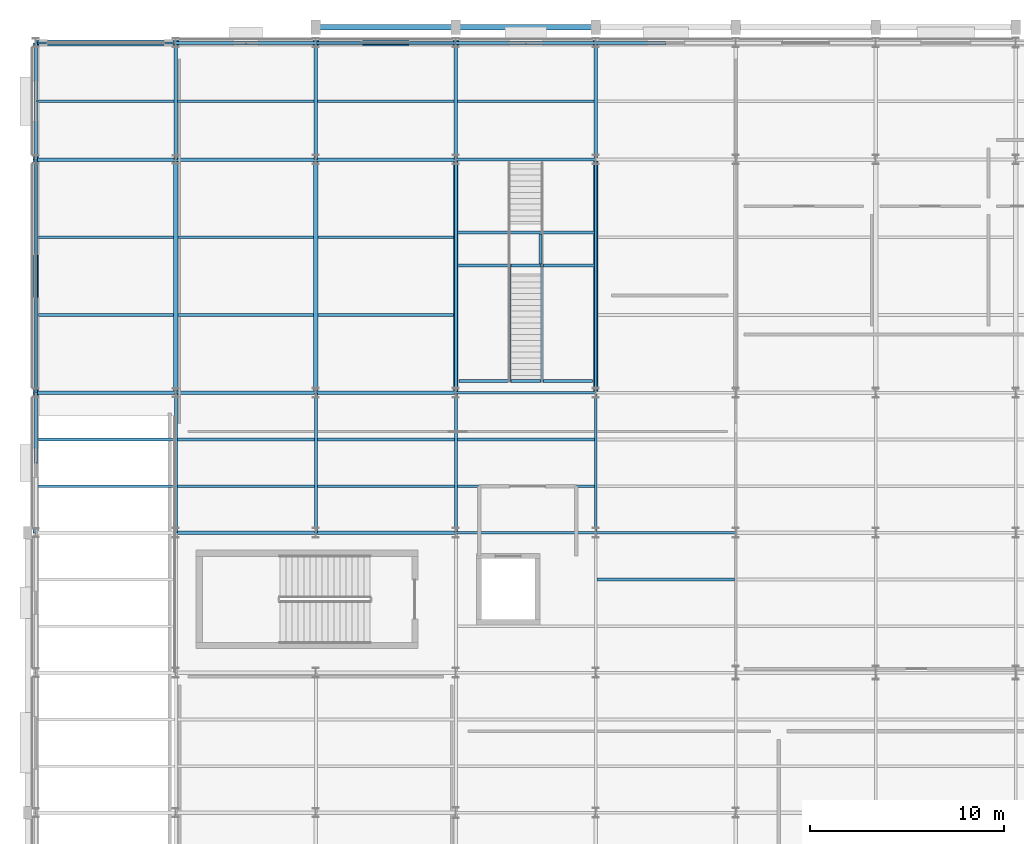
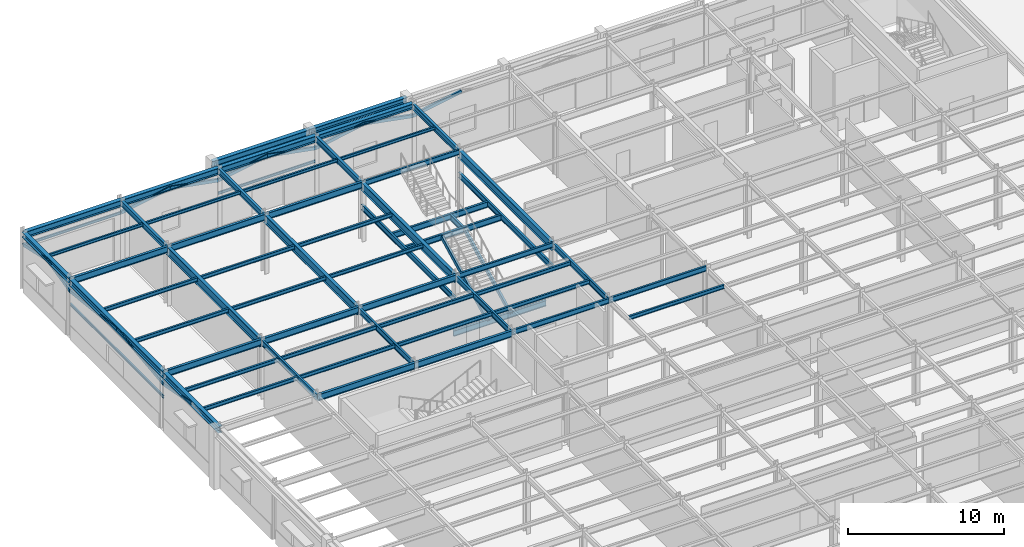
# One storey, part 37 of 83: 61 beams, 14 members.
"""IFC4 building model written with IfcOpenShell, lengths in metres."""

import ifcopenshell
import ifcopenshell.guid

model = None  # the IFC model being written
_history = None  # IfcOwnerHistory: only IFC2X3 demands one
_inside = {}  # id of a spatial element -> (the spatial element, [elements in it])
_under = {}  # id of a project, library or spatial element -> (it, [spatial elements below it])
_declared = {}  # id of a project -> (the project, [libraries it declares])
_typed = {}  # id of a type object -> (the type object, [elements of that type])
_made_of = {}  # id of a material, layer set ... -> (it, [elements and type objects made of it])


def new_model(schema):
    """Start an empty IFC model of exactly this schema.

    Asked for "IFC4X3", IfcOpenShell would pick the latest addendum, in which some entities
    have other attributes; the version numbers below select the first issue.
    IFC2X3 requires an IfcOwnerHistory on every rooted entity: one is made here for all.
    """
    global model, _history
    if schema == "IFC4X3":
        model = ifcopenshell.file(schema_version=(4, 3, 0, 0))
    else:
        model = ifcopenshell.file(schema=schema)
    _inside.clear()
    _under.clear()
    _declared.clear()
    _typed.clear()
    _made_of.clear()
    _history = None
    if model.schema == "IFC2X3":
        org = make("IfcOrganization", Name="unknown")
        user = make(
            "IfcPersonAndOrganization",
            ThePerson=make("IfcPerson", FamilyName="unknown"),
            TheOrganization=org,
        )
        app = make(
            "IfcApplication",
            ApplicationDeveloper=org,
            Version="unknown",
            ApplicationFullName="unknown",
            ApplicationIdentifier="unknown",
        )
        _history = make(
            "IfcOwnerHistory",
            OwningUser=user,
            OwningApplication=app,
            ChangeAction="ADDED",
            CreationDate=0,
        )
    return model


def make(cls, **values):
    """One entity of the class cls with the attributes given. An attribute that is None is left unset."""
    return model.create_entity(
        cls, **{name: value for name, value in values.items() if value is not None}
    )


def rooted(cls, **values):
    """An entity with a GlobalId (a new one), such as an element, a storey or a relation."""
    return make(cls, GlobalId=ifcopenshell.guid.new(), OwnerHistory=_history, **values)


def si_unit(unit_type, name, prefix=None):
    """IfcSIUnit, for example si_unit("LENGTHUNIT", "METRE", prefix="MILLI")."""
    return make("IfcSIUnit", UnitType=unit_type, Prefix=prefix, Name=name)


def assignment(units):
    """IfcUnitAssignment: the units of a project."""
    return None if units is None else make("IfcUnitAssignment", Units=units)


def point(xyz):
    """IfcCartesianPoint."""
    return None if xyz is None else make("IfcCartesianPoint", Coordinates=xyz)


def direction(xyz):
    """IfcDirection."""
    return None if xyz is None else make("IfcDirection", DirectionRatios=xyz)


def frame(location, z_axis=None, x_axis=None):
    """IfcAxis2Placement3D, a coordinate frame: its origin and axes. An axis left out is left unset."""
    return make(
        "IfcAxis2Placement3D",
        Location=point(location),
        Axis=direction(z_axis),
        RefDirection=direction(x_axis),
    )


def frame_2d(location, x_axis=None):
    """IfcAxis2Placement2D, a coordinate frame in the plane: its origin and x axis."""
    return make(
        "IfcAxis2Placement2D", Location=point(location), RefDirection=direction(x_axis)
    )


def origin():
    """The frame at (0, 0, 0) with its axes left unset."""
    return frame((0.0, 0.0, 0.0))


def origin_2d():
    """The frame at (0, 0) in the plane with its x axis left unset."""
    return frame_2d((0.0, 0.0))


def place(relative_to, where):
    """IfcLocalPlacement: puts the frame where relative to a parent placement (None: the world)."""
    return make(
        "IfcLocalPlacement", PlacementRelTo=relative_to, RelativePlacement=where
    )


def context(
    kind, dimensions, precision=None, world=None, true_north=None, identifier=None
):
    """IfcGeometricRepresentationContext, for example the 3D "Model" context."""
    return make(
        "IfcGeometricRepresentationContext",
        ContextIdentifier=identifier,
        ContextType=kind,
        CoordinateSpaceDimension=dimensions,
        Precision=precision,
        WorldCoordinateSystem=world,
        TrueNorth=true_north,
    )


def subcontext(parent, identifier, kind, view, scale=None):
    """IfcGeometricRepresentationSubContext, for example "Body" below "Model"."""
    return make(
        "IfcGeometricRepresentationSubContext",
        ContextIdentifier=identifier,
        ContextType=kind,
        ParentContext=parent,
        TargetScale=scale,
        TargetView=view,
    )


def project(units=None, contexts=None):
    """IfcProject with its units and contexts."""
    return rooted(
        "IfcProject",
        Name="project",
        RepresentationContexts=contexts,
        UnitsInContext=assignment(units),
    )


def spatial(cls, under=None, at=None, **own):
    """A site, building, storey or space (cls), placed at a placement, below another one or the project."""
    s = rooted(cls, ObjectPlacement=at, **own)
    if under is not None:
        _under.setdefault(under.id(), (under, []))[1].append(s)
    return s


def profile(cls, at=None, kind="AREA", **sizes):
    """A parametric profile (cls). Its sizes go by their IFC names, for example OverallWidth=200.0."""
    return make(cls, ProfileType=kind, Position=at, **sizes)


def hollow_rectangle(**sizes):
    """IfcRectangleHollowProfileDef."""
    return profile("IfcRectangleHollowProfileDef", **sizes)


def i_section(**sizes):
    """IfcIShapeProfileDef."""
    return profile("IfcIShapeProfileDef", **sizes)


def extrude(swept, where, along, depth):
    """IfcExtrudedAreaSolid: the profile swept, set in the frame where, extruded along a direction by depth."""
    return make(
        "IfcExtrudedAreaSolid",
        SweptArea=swept,
        Position=where,
        ExtrudedDirection=direction(along),
        Depth=depth,
    )


def shape(context_of_items, identifier, shape_type, items):
    """IfcShapeRepresentation: the items that make up one representation, for example the "Body"."""
    return make(
        "IfcShapeRepresentation",
        ContextOfItems=context_of_items,
        RepresentationIdentifier=identifier,
        RepresentationType=shape_type,
        Items=items,
    )


def material(Name=None, Category=None):
    """IfcMaterial."""
    return make("IfcMaterial", Name=Name, Category=Category)


def material_profile(
    of_material, cross_section, Name=None, Category=None, Priority=None
):
    """IfcMaterialProfile: a cross section and its material."""
    return make(
        "IfcMaterialProfile",
        Name=Name,
        Material=of_material,
        Profile=cross_section,
        Priority=Priority,
        Category=Category,
    )


def profile_set(profiles, Name=None, composite=None):
    """IfcMaterialProfileSet."""
    return make(
        "IfcMaterialProfileSet",
        Name=Name,
        MaterialProfiles=profiles,
        CompositeProfile=composite,
    )


def made_of(thing, what):
    """Note that an element or type object is made of a material, layer set ...; save() writes the relation."""
    if what is not None:
        _made_of.setdefault(what.id(), (what, []))[1].append(thing)
    return thing


def type_object(cls, material=None, **own):
    """A type object (cls), such as IfcWallType, which elements share."""
    return made_of(rooted(cls, **own), material)


def element(
    cls,
    number,
    at=None,
    inside=None,
    cuts=None,
    type_object=None,
    material=None,
    context=None,
    identifier="Body",
    shape_type=None,
    held_by="IfcProductDefinitionShape",
    body=None,
    shapes=None,
    **own,
):
    """One element of the class cls, such as IfcWall. Its Tag is "e" and its number.

    at: its placement. inside: the storey or other place that contains it. cuts: it is an
    opening in that element (IfcRelVoidsElement). A single representation is given by context,
    identifier, shape_type and body (its items); several are given by shapes. held_by: the class
    of the entity that holds the representations. save() writes the other relations.
    """
    e = rooted(cls, Tag="e%d" % number, ObjectPlacement=at, **own)
    if body is not None:
        shapes = [shape(context, identifier, shape_type, body)]
    if shapes is not None:
        e.Representation = make(held_by, Representations=shapes)
    if inside is not None:
        _inside.setdefault(inside.id(), (inside, []))[1].append(e)
    if cuts is not None:
        rooted(
            "IfcRelVoidsElement", RelatingBuildingElement=cuts, RelatedOpeningElement=e
        )
    if type_object is not None:
        _typed.setdefault(type_object.id(), (type_object, []))[1].append(e)
    return made_of(e, material)


def aggregate(whole, parts):
    """IfcRelAggregates: a whole, such as a stair, and the parts it consists of."""
    return rooted("IfcRelAggregates", RelatingObject=whole, RelatedObjects=parts)


def save(model, path):
    """Write the relations noted so far, then the file.

    IfcRelAggregates (storeys below a building ...), IfcRelContainedInSpatialStructure (elements
    in a storey), IfcRelDefinesByType, IfcRelAssociatesMaterial and IfcRelDeclares: one each for
    every whole, place, type object, material and project.
    """
    for whole, parts in _under.values():
        aggregate(whole, parts)
    for where, things in _inside.values():
        rooted(
            "IfcRelContainedInSpatialStructure",
            RelatedElements=things,
            RelatingStructure=where,
        )
    for kind, things in _typed.values():
        rooted("IfcRelDefinesByType", RelatedObjects=things, RelatingType=kind)
    for what, things in _made_of.values():
        rooted("IfcRelAssociatesMaterial", RelatedObjects=things, RelatingMaterial=what)
    for by, libraries in _declared.values():
        rooted("IfcRelDeclares", RelatingContext=by, RelatedDefinitions=libraries)
    model.write(path)


model = new_model("IFC4")

# Units and contexts
model_context = context("Model", 3, precision=1e-05, world=origin(), true_north=direction((0.0, 1.0)))
body_context = subcontext(model_context, "Body", "Model", "MODEL_VIEW")
ifc_project = project(units=[si_unit("LENGTHUNIT", "METRE"), si_unit("AREAUNIT", "SQUARE_METRE"), si_unit("VOLUMEUNIT", "CUBIC_METRE"), si_unit("PLANEANGLEUNIT", "RADIAN"), si_unit("MASSUNIT", "GRAM", prefix="KILO")], contexts=[model_context])

# Site, building, storey
site_placement = place(None, origin())
site = spatial("IfcSite", under=ifc_project, at=site_placement, CompositionType="ELEMENT")
building_placement = place(site_placement, origin())
building = spatial("IfcBuilding", under=site, at=building_placement, Name="Solvadek Multi-Sports Hall", CompositionType="ELEMENT")
storey_placement = place(building_placement, origin())
storey = spatial("IfcBuildingStorey", under=building, at=storey_placement, Name="L00", CompositionType="ELEMENT", Elevation=0.0)

# Members
ifc_material_1 = material(Name="Steel E250 (250 MPa)", Category="steel")
ifc_material_profile_1 = material_profile(ifc_material_1, hollow_rectangle(XDim=0.14990234375, YDim=0.300048828125, WallThickness=0.010009765625, at=origin_2d()), Name="RHS 300x150x10")
ifc_profile_set_1 = profile_set([ifc_material_profile_1], Name="Steel E250 (250 MPa)")
member_type_1 = type_object("IfcMemberType", Name="INT-SGR-RHS300", PredefinedType="STRINGER", material=ifc_profile_set_1)
for number, where, z_axis, x_axis, name in (
    (1, (26.0400390625, 93.0, -0.47998046875), (0.0, 0.889594277136, 0.456751597793), (-1.0, 0.0, 0.0), "Stair ST-12 Steel Stringer #11"),
    (2, (24.360107421875, 93.0, -0.47998046875), (0.0, 0.889594277136, 0.456751597793), (-1.0, 0.0, 0.0), "Stair ST-12 Steel Stringer #12"),
):
    element("IfcMember", number, at=place(storey_placement, frame(where, z_axis=z_axis, x_axis=x_axis)), inside=storey, type_object=member_type_1, Name=name, PredefinedType="STRINGER", context=body_context, shape_type="SweptSolid", body=[
        extrude(hollow_rectangle(XDim=0.14990234375, YDim=0.300048828125, WallThickness=0.010009765625, at=origin_2d()), origin(), (0.0, 0.0, 1.0), 6.6884765625),
    ])
ifc_material_2 = material(Name="Steel E350 (350 MPa)", Category="steel")
ifc_material_profile_2 = material_profile(ifc_material_2, hollow_rectangle(XDim=0.14990234375, YDim=0.25, WallThickness=0.010009765625, at=origin_2d()), Name="RHS 250x150x10")
ifc_profile_set_2 = profile_set([ifc_material_profile_2], Name="Steel E350 (350 MPa)")
member_type_2 = type_object("IfcMemberType", Name="STR-ARC-RHS250", PredefinedType="USERDEFINED", material=ifc_profile_set_2)
member_1_placement = place(storey_placement, frame((0.0, 88.800048828125, 4.219970703125), z_axis=(0.0, 0.9831211258, -0.182955874479), x_axis=(-1.0, 0.0, 0.0)))
element("IfcMember", 3, at=member_1_placement, inside=storey, type_object=member_type_2, Name="L00 West Facade Pointed Ottoman Arch 10R", ObjectType="ARCH_SEGMENT", PredefinedType="USERDEFINED", context=body_context, shape_type="SweptSolid", body=[
    extrude(hollow_rectangle(XDim=0.14990234375, YDim=0.25, WallThickness=0.010009765625, at=origin_2d()), origin(), (0.0, 0.0, 1.0), 3.66162109375),
])
for number, where, z_axis, x_axis, name in (
    (4, (0.0, 92.39990234375, 3.550048828125), (0.0, 0.993824413205, 0.110964119053), (-1.0, 0.0, 0.0), "L00 West Facade Pointed Ottoman Arch 11L"),
    (5, (0.0, 98.39990234375, 4.219970703125), (0.0, 0.993824413205, -0.110964119053), (-1.0, 0.0, 0.0), "L00 West Facade Pointed Ottoman Arch 11R"),
):
    element("IfcMember", number, at=place(storey_placement, frame(where, z_axis=z_axis, x_axis=x_axis)), inside=storey, type_object=member_type_2, Name=name, ObjectType="ARCH_SEGMENT", PredefinedType="USERDEFINED", context=body_context, shape_type="SweptSolid", body=[
        extrude(hollow_rectangle(XDim=0.14990234375, YDim=0.25, WallThickness=0.010009765625, at=origin_2d()), origin(), (0.0, 0.0, 1.0), 6.037353515625),
    ])
for number, where, z_axis, x_axis, name in (
    (6, (0.0, 104.39990234375, 3.550048828125), (0.0, 0.975962282529, 0.21793949408), (-1.0, 0.0, 0.0), "L00 West Facade Pointed Ottoman Arch 12L"),
    (7, (0.0, 107.39990234375, 4.219970703125), (0.0, 0.975962282529, -0.21793949408), (-1.0, 0.0, 0.0), "L00 West Facade Pointed Ottoman Arch 12R"),
):
    element("IfcMember", number, at=place(storey_placement, frame(where, z_axis=z_axis, x_axis=x_axis)), inside=storey, type_object=member_type_2, Name=name, ObjectType="ARCH_SEGMENT", PredefinedType="USERDEFINED", context=body_context, shape_type="SweptSolid", body=[
        extrude(hollow_rectangle(XDim=0.14990234375, YDim=0.25, WallThickness=0.010009765625, at=origin_2d()), origin(), (0.0, 0.0, 1.0), 3.073974609375),
    ])
member_2_placement = place(storey_placement, frame((7.199951171875, 110.39990234375, 3.550048828125), z_axis=(0.983123357379, 0.0, 0.182943882588), x_axis=(0.0, 1.0, 0.0)))
element("IfcMember", 8, at=member_2_placement, inside=storey, type_object=member_type_2, Name="L00 North Facade Pointed Ottoman Arch 2L", ObjectType="ARCH_SEGMENT", PredefinedType="USERDEFINED", context=body_context, shape_type="SweptSolid", body=[
    extrude(hollow_rectangle(XDim=0.14990234375, YDim=0.25, WallThickness=0.010009765625, at=origin_2d()), origin(), (0.0, 0.0, 1.0), 3.661865234375),
])
member_3_placement = place(storey_placement, frame((10.800048828125, 110.39990234375, 4.219970703125), z_axis=(0.9831211258, 0.0, -0.182955874479), x_axis=(0.0, 1.0, 0.0)))
element("IfcMember", 9, at=member_3_placement, inside=storey, type_object=member_type_2, Name="L00 North Facade Pointed Ottoman Arch 2R", ObjectType="ARCH_SEGMENT", PredefinedType="USERDEFINED", context=body_context, shape_type="SweptSolid", body=[
    extrude(hollow_rectangle(XDim=0.14990234375, YDim=0.25, WallThickness=0.010009765625, at=origin_2d()), origin(), (0.0, 0.0, 1.0), 3.66162109375),
])
for number, where, z_axis, x_axis, name in (
    (10, (14.39990234375, 110.39990234375, 3.550048828125), (0.983123357379, 0.0, 0.182943882588), (0.0, 1.0, 0.0), "L00 North Facade Pointed Ottoman Arch 3L"),
    (11, (18.0, 110.39990234375, 4.219970703125), (0.983123357379, 0.0, -0.182943882588), (0.0, 1.0, 0.0), "L00 North Facade Pointed Ottoman Arch 3R"),
):
    element("IfcMember", number, at=place(storey_placement, frame(where, z_axis=z_axis, x_axis=x_axis)), inside=storey, type_object=member_type_2, Name=name, ObjectType="ARCH_SEGMENT", PredefinedType="USERDEFINED", context=body_context, shape_type="SweptSolid", body=[
        extrude(hollow_rectangle(XDim=0.14990234375, YDim=0.25, WallThickness=0.010009765625, at=origin_2d()), origin(), (0.0, 0.0, 1.0), 3.661865234375),
    ])
member_4_placement = place(storey_placement, frame((21.60009765625, 110.39990234375, 3.550048828125), z_axis=(0.9831211258, 0.0, 0.182955874479), x_axis=(0.0, 1.0, 0.0)))
element("IfcMember", 12, at=member_4_placement, inside=storey, type_object=member_type_2, Name="L00 North Facade Pointed Ottoman Arch 4L", ObjectType="ARCH_SEGMENT", PredefinedType="USERDEFINED", context=body_context, shape_type="SweptSolid", body=[
    extrude(hollow_rectangle(XDim=0.14990234375, YDim=0.25, WallThickness=0.010009765625, at=origin_2d()), origin(), (0.0, 0.0, 1.0), 3.66162109375),
])
member_5_placement = place(storey_placement, frame((25.199951171875, 110.39990234375, 4.219970703125), z_axis=(0.983123357379, 0.0, -0.182943882588), x_axis=(0.0, 1.0, 0.0)))
element("IfcMember", 13, at=member_5_placement, inside=storey, type_object=member_type_2, Name="L00 North Facade Pointed Ottoman Arch 4R", ObjectType="ARCH_SEGMENT", PredefinedType="USERDEFINED", context=body_context, shape_type="SweptSolid", body=[
    extrude(hollow_rectangle(XDim=0.14990234375, YDim=0.25, WallThickness=0.010009765625, at=origin_2d()), origin(), (0.0, 0.0, 1.0), 3.661865234375),
])
member_6_placement = place(storey_placement, frame((28.800048828125, 110.39990234375, 3.550048828125), z_axis=(0.9831211258, 0.0, 0.182955874479), x_axis=(0.0, 1.0, 0.0)))
element("IfcMember", 14, at=member_6_placement, inside=storey, type_object=member_type_2, Name="L00 North Facade Pointed Ottoman Arch 5L", ObjectType="ARCH_SEGMENT", PredefinedType="USERDEFINED", context=body_context, shape_type="SweptSolid", body=[
    extrude(hollow_rectangle(XDim=0.14990234375, YDim=0.25, WallThickness=0.010009765625, at=origin_2d()), origin(), (0.0, 0.0, 1.0), 3.66162109375),
])

# Beams
ifc_material_profile_3 = material_profile(ifc_material_2, i_section(OverallWidth=0.139892578125, OverallDepth=0.39990234375, WebThickness=0.0087890625, FlangeThickness=0.01611328125, at=origin_2d()), Name="ISMB 400")
ifc_profile_set_3 = profile_set([ifc_material_profile_3], Name="Steel E350 (350 MPa)")
beam_type_1 = type_object("IfcBeamType", Name="STR-BM-ISMB400", PredefinedType="BEAM", material=ifc_profile_set_3)
for number, where, z_axis, x_axis, name in (
    (15, (21.60009765625, 85.199951171875, 4.3798828125), (1.0, 0.0, 0.0), (0.0, 1.0, 0.0), "L00 Girder B-10 #681"),
    (16, (28.800048828125, 85.199951171875, 4.3798828125), (1.0, 0.0, 0.0), (0.0, 1.0, 0.0), "L00 Girder B-10 #682"),
    (17, (21.60009765625, 92.39990234375, 4.3798828125), (1.0, 0.0, 0.0), (0.0, 1.0, 0.0), "L00 Girder B-10 #692"),
    (18, (21.60009765625, 104.39990234375, 4.3798828125), (1.0, 0.0, 0.0), (0.0, 1.0, 0.0), "L00 Girder B-10 #702"),
):
    element("IfcBeam", number, at=place(storey_placement, frame(where, z_axis=z_axis, x_axis=x_axis)), inside=storey, type_object=beam_type_1, Name=name, PredefinedType="BEAM", context=body_context, shape_type="SweptSolid", body=[
        extrude(i_section(OverallWidth=0.139892578125, OverallDepth=0.39990234375, WebThickness=0.0087890625, FlangeThickness=0.01611328125, at=origin_2d()), origin(), (0.0, 0.0, 1.0), 7.199951171875),
    ])
ifc_material_profile_4 = material_profile(ifc_material_2, i_section(OverallWidth=0.14990234375, OverallDepth=0.449951171875, WebThickness=0.009521484375, FlangeThickness=0.017333984375, at=origin_2d()), Name="ISMB 450")
ifc_profile_set_4 = profile_set([ifc_material_profile_4], Name="Steel E350 (350 MPa)")
beam_type_2 = type_object("IfcBeamType", Name="STR-BM-ISMB450", PredefinedType="BEAM", material=ifc_profile_set_4)
for number, where, z_axis, x_axis, name in (
    (19, (7.199951171875, 85.199951171875, 4.35498046875), (0.0, 1.0, 0.0), (-1.0, 0.0, 0.0), "L00 Girder B-09 #749"),
    (20, (14.39990234375, 85.199951171875, 4.35498046875), (0.0, 1.0, 0.0), (-1.0, 0.0, 0.0), "L00 Girder B-09 #760"),
    (21, (21.60009765625, 85.199951171875, 4.35498046875), (0.0, 1.0, 0.0), (-1.0, 0.0, 0.0), "L00 Girder B-09 #772"),
    (22, (28.800048828125, 85.199951171875, 4.35498046875), (0.0, 1.0, 0.0), (-1.0, 0.0, 0.0), "L00 Girder B-09 #780"),
):
    element("IfcBeam", number, at=place(storey_placement, frame(where, z_axis=z_axis, x_axis=x_axis)), inside=storey, type_object=beam_type_2, Name=name, PredefinedType="BEAM", context=body_context, shape_type="SweptSolid", body=[
        extrude(i_section(OverallWidth=0.14990234375, OverallDepth=0.449951171875, WebThickness=0.009521484375, FlangeThickness=0.017333984375, at=origin_2d()), origin(), (0.0, 0.0, 1.0), 7.199951171875),
    ])
ifc_material_profile_5 = material_profile(ifc_material_2, i_section(OverallWidth=0.179931640625, OverallDepth=0.5, WebThickness=0.01025390625, FlangeThickness=0.01708984375, at=origin_2d()), Name="ISMB 500")
ifc_profile_set_5 = profile_set([ifc_material_profile_5], Name="Steel E350 (350 MPa)")
beam_type_3 = type_object("IfcBeamType", Name="STR-BM-ISMB500", PredefinedType="BEAM", material=ifc_profile_set_5)
beam_1_placement = place(storey_placement, frame((7.199951171875, 85.199951171875, 4.330078125), z_axis=(1.0, 0.0, 0.0), x_axis=(0.0, 1.0, 0.0)))
element("IfcBeam", 23, at=beam_1_placement, inside=storey, type_object=beam_type_3, Name="L00 Girder B-07 #679", PredefinedType="BEAM", context=body_context, shape_type="SweptSolid", body=[
    extrude(i_section(OverallWidth=0.179931640625, OverallDepth=0.5, WebThickness=0.01025390625, FlangeThickness=0.01708984375, at=origin_2d()), origin(), (0.0, 0.0, 1.0), 7.199951171875),
])
beam_2_placement = place(storey_placement, frame((14.39990234375, 85.199951171875, 4.330078125), z_axis=(1.0, 0.0, 0.0), x_axis=(0.0, 1.0, 0.0)))
element("IfcBeam", 24, at=beam_2_placement, inside=storey, type_object=beam_type_3, Name="L00 Girder B-07 #680", PredefinedType="BEAM", context=body_context, shape_type="SweptSolid", body=[
    extrude(i_section(OverallWidth=0.179931640625, OverallDepth=0.5, WebThickness=0.01025390625, FlangeThickness=0.01708984375, at=origin_2d()), origin(), (0.0, 0.0, 1.0), 7.2001953125),
])
for number, where, z_axis, x_axis, name in (
    (25, (0.0, 92.39990234375, 4.330078125), (1.0, 0.0, 0.0), (0.0, 1.0, 0.0), "L00 Girder B-07 #689"),
    (26, (7.199951171875, 92.39990234375, 4.330078125), (1.0, 0.0, 0.0), (0.0, 1.0, 0.0), "L00 Girder B-07 #690"),
):
    element("IfcBeam", number, at=place(storey_placement, frame(where, z_axis=z_axis, x_axis=x_axis)), inside=storey, type_object=beam_type_3, Name=name, PredefinedType="BEAM", context=body_context, shape_type="SweptSolid", body=[
        extrude(i_section(OverallWidth=0.179931640625, OverallDepth=0.5, WebThickness=0.01025390625, FlangeThickness=0.01708984375, at=origin_2d()), origin(), (0.0, 0.0, 1.0), 7.199951171875),
    ])
beam_3_placement = place(storey_placement, frame((14.39990234375, 92.39990234375, 4.330078125), z_axis=(1.0, 0.0, 0.0), x_axis=(0.0, 1.0, 0.0)))
element("IfcBeam", 27, at=beam_3_placement, inside=storey, type_object=beam_type_3, Name="L00 Girder B-07 #691", PredefinedType="BEAM", context=body_context, shape_type="SweptSolid", body=[
    extrude(i_section(OverallWidth=0.179931640625, OverallDepth=0.5, WebThickness=0.01025390625, FlangeThickness=0.01708984375, at=origin_2d()), origin(), (0.0, 0.0, 1.0), 7.2001953125),
])
for number, where, z_axis, x_axis, name in (
    (28, (0.0, 104.39990234375, 4.330078125), (1.0, 0.0, 0.0), (0.0, 1.0, 0.0), "L00 Girder B-07 #699"),
    (29, (7.199951171875, 104.39990234375, 4.330078125), (1.0, 0.0, 0.0), (0.0, 1.0, 0.0), "L00 Girder B-07 #700"),
):
    element("IfcBeam", number, at=place(storey_placement, frame(where, z_axis=z_axis, x_axis=x_axis)), inside=storey, type_object=beam_type_3, Name=name, PredefinedType="BEAM", context=body_context, shape_type="SweptSolid", body=[
        extrude(i_section(OverallWidth=0.179931640625, OverallDepth=0.5, WebThickness=0.01025390625, FlangeThickness=0.01708984375, at=origin_2d()), origin(), (0.0, 0.0, 1.0), 7.199951171875),
    ])
beam_4_placement = place(storey_placement, frame((14.39990234375, 104.39990234375, 4.330078125), z_axis=(1.0, 0.0, 0.0), x_axis=(0.0, 1.0, 0.0)))
element("IfcBeam", 30, at=beam_4_placement, inside=storey, type_object=beam_type_3, Name="L00 Girder B-07 #701", PredefinedType="BEAM", context=body_context, shape_type="SweptSolid", body=[
    extrude(i_section(OverallWidth=0.179931640625, OverallDepth=0.5, WebThickness=0.01025390625, FlangeThickness=0.01708984375, at=origin_2d()), origin(), (0.0, 0.0, 1.0), 7.2001953125),
])
ifc_material_profile_6 = material_profile(ifc_material_2, i_section(OverallWidth=0.14990234375, OverallDepth=0.449951171875, WebThickness=0.009521484375, FlangeThickness=0.017333984375, at=origin_2d()), Name="ISMB 450")
ifc_profile_set_6 = profile_set([ifc_material_profile_6], Name="Steel E350 (350 MPa)")
beam_type_4 = type_object("IfcBeamType", Name="STR-BM-LND450", PredefinedType="BEAM", material=ifc_profile_set_6)
for number, where, z_axis, x_axis, name in (
    (31, (21.60009765625, 92.39990234375, 2.574951171875), (0.0, 1.0, 0.0), (-1.0, 0.0, 0.0), "Stair ST-12 Landing Edge Girder #1"),
    (32, (28.800048828125, 92.39990234375, 2.574951171875), (0.0, 1.0, 0.0), (-1.0, 0.0, 0.0), "Stair ST-12 Landing Edge Girder #2"),
):
    element("IfcBeam", number, at=place(storey_placement, frame(where, z_axis=z_axis, x_axis=x_axis)), inside=storey, type_object=beam_type_4, Name=name, PredefinedType="BEAM", context=body_context, shape_type="SweptSolid", body=[
        extrude(i_section(OverallWidth=0.14990234375, OverallDepth=0.449951171875, WebThickness=0.009521484375, FlangeThickness=0.017333984375, at=origin_2d()), origin(), (0.0, 0.0, 1.0), 12.0),
    ])
for number, where, z_axis, x_axis, name in (
    (33, (21.675048828125, 98.949951171875, 2.574951171875), (1.0, 0.0, 0.0), (0.0, 1.0, 0.0), "Stair ST-12 Landing Trimmer Girder #1"),
    (34, (21.675048828125, 100.64990234375, 2.574951171875), (1.0, 0.0, 0.0), (0.0, 1.0, 0.0), "Stair ST-12 Landing Trimmer Girder #2"),
):
    element("IfcBeam", number, at=place(storey_placement, frame(where, z_axis=z_axis, x_axis=x_axis)), inside=storey, type_object=beam_type_4, Name=name, PredefinedType="BEAM", context=body_context, shape_type="SweptSolid", body=[
        extrude(i_section(OverallWidth=0.14990234375, OverallDepth=0.449951171875, WebThickness=0.009521484375, FlangeThickness=0.017333984375, at=origin_2d()), origin(), (0.0, 0.0, 1.0), 7.050048828125),
    ])
beam_5_placement = place(storey_placement, frame((25.9560546875, 99.02490234375, 2.574951171875), z_axis=(0.0, 1.0, 0.0), x_axis=(-1.0, 0.0, 0.0)))
element("IfcBeam", 35, at=beam_5_placement, inside=storey, type_object=beam_type_4, Name="Stair ST-12 Landing Diaphragm Rib", PredefinedType="BEAM", context=body_context, shape_type="SweptSolid", body=[
    extrude(i_section(OverallWidth=0.14990234375, OverallDepth=0.449951171875, WebThickness=0.009521484375, FlangeThickness=0.017333984375, at=origin_2d()), origin(), (0.0, 0.0, 1.0), 1.550048828125),
])
beam_6_placement = place(storey_placement, frame((21.760009765625, 93.0, -0.47998046875), z_axis=(1.0, 0.0, 0.0), x_axis=(0.0, 1.0, 0.0)))
element("IfcBeam", 36, at=beam_6_placement, inside=storey, type_object=beam_type_4, Name="Stair ST-12 Foot Trimmer Girder", PredefinedType="BEAM", context=body_context, shape_type="SweptSolid", body=[
    extrude(i_section(OverallWidth=0.14990234375, OverallDepth=0.449951171875, WebThickness=0.009521484375, FlangeThickness=0.017333984375, at=origin_2d()), origin(), (0.0, 0.0, 1.0), 6.8798828125),
])
ifc_material_profile_7 = material_profile(ifc_material_2, i_section(OverallWidth=0.18994140625, OverallDepth=0.449951171875, WebThickness=0.009521484375, FlangeThickness=0.0146484375, at=origin_2d()), Name="NPB 450")
ifc_profile_set_7 = profile_set([ifc_material_profile_7], Name="Steel E350 (350 MPa)")
beam_type_5 = type_object("IfcBeamType", Name="STR-BM-NPB450", PredefinedType="BEAM", material=ifc_profile_set_7)
for number, where, z_axis, x_axis, name in (
    (37, (7.199951171875, 104.39990234375, 4.35498046875), (0.0, 1.0, 0.0), (-1.0, 0.0, 0.0), "L00 Girder B-08 #751"),
    (38, (14.39990234375, 104.39990234375, 4.35498046875), (0.0, 1.0, 0.0), (-1.0, 0.0, 0.0), "L00 Girder B-08 #762"),
    (39, (21.60009765625, 104.39990234375, 4.35498046875), (0.0, 1.0, 0.0), (-1.0, 0.0, 0.0), "L00 Girder B-08 #774"),
    (40, (28.800048828125, 104.39990234375, 4.35498046875), (0.0, 1.0, 0.0), (-1.0, 0.0, 0.0), "L00 Girder B-08 #782"),
):
    element("IfcBeam", number, at=place(storey_placement, frame(where, z_axis=z_axis, x_axis=x_axis)), inside=storey, type_object=beam_type_5, Name=name, PredefinedType="BEAM", context=body_context, shape_type="SweptSolid", body=[
        extrude(i_section(OverallWidth=0.18994140625, OverallDepth=0.449951171875, WebThickness=0.009521484375, FlangeThickness=0.0146484375, at=origin_2d()), origin(), (0.0, 0.0, 1.0), 6.0),
    ])
ifc_material_profile_8 = material_profile(ifc_material_2, i_section(OverallWidth=0.239990234375, OverallDepth=0.64990234375, WebThickness=0.0126953125, FlangeThickness=0.0205078125, at=origin_2d()), Name="NPB 650")
ifc_profile_set_8 = profile_set([ifc_material_profile_8], Name="Steel E350 (350 MPa)")
beam_type_6 = type_object("IfcBeamType", Name="STR-BM-NPB650", PredefinedType="BEAM", material=ifc_profile_set_8)
for number, where, z_axis, x_axis, name in (
    (41, (7.199951171875, 92.39990234375, 4.2548828125), (0.0, 1.0, 0.0), (-1.0, 0.0, 0.0), "L00 Girder B-03 #750"),
    (42, (14.39990234375, 92.39990234375, 4.2548828125), (0.0, 1.0, 0.0), (-1.0, 0.0, 0.0), "L00 Girder B-03 #761"),
    (43, (21.60009765625, 92.39990234375, 4.2548828125), (0.0, 1.0, 0.0), (-1.0, 0.0, 0.0), "L00 Girder B-03 #773"),
    (44, (28.800048828125, 92.39990234375, 4.2548828125), (0.0, 1.0, 0.0), (-1.0, 0.0, 0.0), "L00 Girder B-03 #781"),
):
    element("IfcBeam", number, at=place(storey_placement, frame(where, z_axis=z_axis, x_axis=x_axis)), inside=storey, type_object=beam_type_6, Name=name, PredefinedType="BEAM", context=body_context, shape_type="SweptSolid", body=[
        extrude(i_section(OverallWidth=0.239990234375, OverallDepth=0.64990234375, WebThickness=0.0126953125, FlangeThickness=0.0205078125, at=origin_2d()), origin(), (0.0, 0.0, 1.0), 12.0),
    ])
ifc_material_profile_9 = material_profile(ifc_material_1, i_section(OverallWidth=0.125, OverallDepth=0.25, WebThickness=0.0068359375, FlangeThickness=0.012451171875, at=origin_2d()), Name="ISMB 250")
ifc_profile_set_9 = profile_set([ifc_material_profile_9], Name="Steel E250 (250 MPa)")
beam_type_7 = type_object("IfcBeamType", Name="STR-JST-ISMB250", PredefinedType="JOIST", material=ifc_profile_set_9)
beam_7_placement = place(storey_placement, frame((0.14990234375, 107.39990234375, 4.455078125), z_axis=(1.0, 0.0, 0.0), x_axis=(0.0, 1.0, 0.0)))
element("IfcBeam", 45, at=beam_7_placement, inside=storey, type_object=beam_type_7, Name="L00 Composite Joist J-04 #576", PredefinedType="JOIST", context=body_context, shape_type="SweptSolid", body=[
    extrude(i_section(OverallWidth=0.125, OverallDepth=0.25, WebThickness=0.0068359375, FlangeThickness=0.012451171875, at=origin_2d()), origin(), (0.0, 0.0, 1.0), 6.955078125),
])
beam_8_placement = place(storey_placement, frame((7.294921875, 107.39990234375, 4.455078125), z_axis=(1.0, 0.0, 0.0), x_axis=(0.0, 1.0, 0.0)))
element("IfcBeam", 46, at=beam_8_placement, inside=storey, type_object=beam_type_7, Name="L00 Composite Joist J-04 #577", PredefinedType="JOIST", context=body_context, shape_type="SweptSolid", body=[
    extrude(i_section(OverallWidth=0.125, OverallDepth=0.25, WebThickness=0.0068359375, FlangeThickness=0.012451171875, at=origin_2d()), origin(), (0.0, 0.0, 1.0), 7.010009765625),
])
beam_9_placement = place(storey_placement, frame((14.4951171875, 107.39990234375, 4.455078125), z_axis=(1.0, 0.0, 0.0), x_axis=(0.0, 1.0, 0.0)))
element("IfcBeam", 47, at=beam_9_placement, inside=storey, type_object=beam_type_7, Name="L00 Composite Joist J-04 #578", PredefinedType="JOIST", context=body_context, shape_type="SweptSolid", body=[
    extrude(i_section(OverallWidth=0.125, OverallDepth=0.25, WebThickness=0.0068359375, FlangeThickness=0.012451171875, at=origin_2d()), origin(), (0.0, 0.0, 1.0), 7.009765625),
])
beam_10_placement = place(storey_placement, frame((21.695068359375, 107.39990234375, 4.455078125), z_axis=(1.0, 0.0, 0.0), x_axis=(0.0, 1.0, 0.0)))
element("IfcBeam", 48, at=beam_10_placement, inside=storey, type_object=beam_type_7, Name="L00 Composite Joist J-04 #579", PredefinedType="JOIST", context=body_context, shape_type="SweptSolid", body=[
    extrude(i_section(OverallWidth=0.125, OverallDepth=0.25, WebThickness=0.0068359375, FlangeThickness=0.012451171875, at=origin_2d()), origin(), (0.0, 0.0, 1.0), 7.010009765625),
])
ifc_material_profile_10 = material_profile(ifc_material_2, i_section(OverallWidth=0.139892578125, OverallDepth=0.300048828125, WebThickness=0.0078125, FlangeThickness=0.01318359375, at=origin_2d()), Name="ISMB 300")
ifc_profile_set_10 = profile_set([ifc_material_profile_10], Name="Steel E350 (350 MPa)")
beam_type_8 = type_object("IfcBeamType", Name="STR-JST-ISMB300", PredefinedType="JOIST", material=ifc_profile_set_10)
beam_11_placement = place(storey_placement, frame((28.875, 82.800048828125, 4.429931640625), z_axis=(1.0, 0.0, 0.0), x_axis=(0.0, 1.0, 0.0)))
element("IfcBeam", 49, at=beam_11_placement, inside=storey, type_object=beam_type_8, Name="L00 Composite Joist J-03 #532", PredefinedType="JOIST", context=body_context, shape_type="SweptSolid", body=[
    extrude(i_section(OverallWidth=0.139892578125, OverallDepth=0.300048828125, WebThickness=0.0078125, FlangeThickness=0.01318359375, at=origin_2d()), origin(), (0.0, 0.0, 1.0), 7.050048828125),
])
for number, where, z_axis, x_axis, name in (
    (50, (0.14990234375, 87.60009765625, 4.429931640625), (1.0, 0.0, 0.0), (0.0, 1.0, 0.0), "L00 Composite Joist J-03 #545"),
    (51, (0.14990234375, 90.0, 4.429931640625), (1.0, 0.0, 0.0), (0.0, 1.0, 0.0), "L00 Composite Joist J-03 #546"),
):
    element("IfcBeam", number, at=place(storey_placement, frame(where, z_axis=z_axis, x_axis=x_axis)), inside=storey, type_object=beam_type_8, Name=name, PredefinedType="JOIST", context=body_context, shape_type="SweptSolid", body=[
        extrude(i_section(OverallWidth=0.139892578125, OverallDepth=0.300048828125, WebThickness=0.0078125, FlangeThickness=0.01318359375, at=origin_2d()), origin(), (0.0, 0.0, 1.0), 6.97509765625),
    ])
for number, where, z_axis, x_axis, name in (
    (52, (7.27490234375, 87.60009765625, 4.429931640625), (1.0, 0.0, 0.0), (0.0, 1.0, 0.0), "L00 Composite Joist J-03 #547"),
    (53, (7.27490234375, 90.0, 4.429931640625), (1.0, 0.0, 0.0), (0.0, 1.0, 0.0), "L00 Composite Joist J-03 #548"),
):
    element("IfcBeam", number, at=place(storey_placement, frame(where, z_axis=z_axis, x_axis=x_axis)), inside=storey, type_object=beam_type_8, Name=name, PredefinedType="JOIST", context=body_context, shape_type="SweptSolid", body=[
        extrude(i_section(OverallWidth=0.139892578125, OverallDepth=0.300048828125, WebThickness=0.0078125, FlangeThickness=0.01318359375, at=origin_2d()), origin(), (0.0, 0.0, 1.0), 7.050048828125),
    ])
for number, where, z_axis, x_axis, name in (
    (54, (14.47509765625, 87.60009765625, 4.429931640625), (1.0, 0.0, 0.0), (0.0, 1.0, 0.0), "L00 Composite Joist J-03 #549"),
    (55, (14.47509765625, 90.0, 4.429931640625), (1.0, 0.0, 0.0), (0.0, 1.0, 0.0), "L00 Composite Joist J-03 #550"),
):
    element("IfcBeam", number, at=place(storey_placement, frame(where, z_axis=z_axis, x_axis=x_axis)), inside=storey, type_object=beam_type_8, Name=name, PredefinedType="JOIST", context=body_context, shape_type="SweptSolid", body=[
        extrude(i_section(OverallWidth=0.139892578125, OverallDepth=0.300048828125, WebThickness=0.0078125, FlangeThickness=0.01318359375, at=origin_2d()), origin(), (0.0, 0.0, 1.0), 7.0498046875),
    ])
for number, where, z_axis, x_axis, name in (
    (56, (21.675048828125, 87.60009765625, 4.429931640625), (1.0, 0.0, 0.0), (0.0, 1.0, 0.0), "L00 Composite Joist J-03 #551"),
    (57, (21.675048828125, 90.0, 4.429931640625), (1.0, 0.0, 0.0), (0.0, 1.0, 0.0), "L00 Composite Joist J-03 #552"),
):
    element("IfcBeam", number, at=place(storey_placement, frame(where, z_axis=z_axis, x_axis=x_axis)), inside=storey, type_object=beam_type_8, Name=name, PredefinedType="JOIST", context=body_context, shape_type="SweptSolid", body=[
        extrude(i_section(OverallWidth=0.139892578125, OverallDepth=0.300048828125, WebThickness=0.0078125, FlangeThickness=0.01318359375, at=origin_2d()), origin(), (0.0, 0.0, 1.0), 7.050048828125),
    ])
for number, where, z_axis, x_axis, name in (
    (58, (0.14990234375, 96.39990234375, 4.429931640625), (1.0, 0.0, 0.0), (0.0, 1.0, 0.0), "L00 Composite Joist J-03 #563"),
    (59, (0.14990234375, 100.39990234375, 4.429931640625), (1.0, 0.0, 0.0), (0.0, 1.0, 0.0), "L00 Composite Joist J-03 #564"),
):
    element("IfcBeam", number, at=place(storey_placement, frame(where, z_axis=z_axis, x_axis=x_axis)), inside=storey, type_object=beam_type_8, Name=name, PredefinedType="JOIST", context=body_context, shape_type="SweptSolid", body=[
        extrude(i_section(OverallWidth=0.139892578125, OverallDepth=0.300048828125, WebThickness=0.0078125, FlangeThickness=0.01318359375, at=origin_2d()), origin(), (0.0, 0.0, 1.0), 6.93017578125),
    ])
for number, where, z_axis, x_axis, name in (
    (60, (7.320068359375, 96.39990234375, 4.429931640625), (1.0, 0.0, 0.0), (0.0, 1.0, 0.0), "L00 Composite Joist J-03 #565"),
    (61, (7.320068359375, 100.39990234375, 4.429931640625), (1.0, 0.0, 0.0), (0.0, 1.0, 0.0), "L00 Composite Joist J-03 #566"),
    (62, (14.52001953125, 96.39990234375, 4.429931640625), (1.0, 0.0, 0.0), (0.0, 1.0, 0.0), "L00 Composite Joist J-03 #567"),
    (63, (14.52001953125, 100.39990234375, 4.429931640625), (1.0, 0.0, 0.0), (0.0, 1.0, 0.0), "L00 Composite Joist J-03 #568"),
):
    element("IfcBeam", number, at=place(storey_placement, frame(where, z_axis=z_axis, x_axis=x_axis)), inside=storey, type_object=beam_type_8, Name=name, PredefinedType="JOIST", context=body_context, shape_type="SweptSolid", body=[
        extrude(i_section(OverallWidth=0.139892578125, OverallDepth=0.300048828125, WebThickness=0.0078125, FlangeThickness=0.01318359375, at=origin_2d()), origin(), (0.0, 0.0, 1.0), 6.9599609375),
    ])
ifc_material_profile_11 = material_profile(ifc_material_1, i_section(OverallWidth=0.10009765625, OverallDepth=0.199951171875, WebThickness=0.005615234375, FlangeThickness=0.0107421875, at=origin_2d()), Name="ISMB 200")
ifc_profile_set_11 = profile_set([ifc_material_profile_11], Name="Steel E250 (250 MPa)")
beam_type_9 = type_object("IfcBeamType", Name="STR-LIN-ISMB200", PredefinedType="LINTEL", material=ifc_profile_set_11)
beam_12_placement = place(storey_placement, frame((0.0, 92.39990234375, 2.52001953125), z_axis=(0.0, 1.0, 0.0), x_axis=(-1.0, 0.0, 0.0)))
element("IfcBeam", 64, at=beam_12_placement, inside=storey, type_object=beam_type_9, Name="L00 Opening Lintel #4", PredefinedType="LINTEL", context=body_context, shape_type="SweptSolid", body=[
    extrude(i_section(OverallWidth=0.10009765625, OverallDepth=0.199951171875, WebThickness=0.005615234375, FlangeThickness=0.0107421875, at=origin_2d()), origin(), (0.0, 0.0, 1.0), 12.0),
])
beam_13_placement = place(storey_placement, frame((0.0, 110.39990234375, 3.52001953125), z_axis=(1.0, 0.0, 0.0), x_axis=(0.0, 1.0, 0.0)))
element("IfcBeam", 65, at=beam_13_placement, inside=storey, type_object=beam_type_9, Name="L00 Opening Lintel #5", PredefinedType="LINTEL", context=body_context, shape_type="SweptSolid", body=[
    extrude(i_section(OverallWidth=0.10009765625, OverallDepth=0.199951171875, WebThickness=0.005615234375, FlangeThickness=0.0107421875, at=origin_2d()), origin(), (0.0, 0.0, 1.0), 7.199951171875),
])
beam_14_placement = place(storey_placement, frame((14.39990234375, 110.39990234375, 2.52001953125), z_axis=(1.0, 0.0, 0.0), x_axis=(0.0, 1.0, 0.0)))
element("IfcBeam", 66, at=beam_14_placement, inside=storey, type_object=beam_type_9, Name="L00 Opening Lintel #6", PredefinedType="LINTEL", context=body_context, shape_type="SweptSolid", body=[
    extrude(i_section(OverallWidth=0.10009765625, OverallDepth=0.199951171875, WebThickness=0.005615234375, FlangeThickness=0.0107421875, at=origin_2d()), origin(), (0.0, 0.0, 1.0), 7.2001953125),
])
ifc_material_profile_12 = material_profile(ifc_material_2, i_section(OverallWidth=0.300048828125, OverallDepth=0.39990234375, WebThickness=0.013427734375, FlangeThickness=0.02392578125, at=origin_2d()), Name="WPB 400")
ifc_profile_set_12 = profile_set([ifc_material_profile_12], Name="Steel E350 (350 MPa)")
beam_type_10 = type_object("IfcBeamType", Name="STR-SPN-WPB400", PredefinedType="SPANDREL", material=ifc_profile_set_12)
for number, where, z_axis, x_axis, name in (
    (67, (21.60009765625, 110.39990234375, 4.3798828125), (1.0, 0.0, 0.0), (0.0, 1.0, 0.0), "L00 Girder SP-02 #711"),
    (68, (21.60009765625, 111.199951171875, 4.3798828125), (1.0, 0.0, 0.0), (0.0, 1.0, 0.0), "L00 Girder SP-02 #720"),
):
    element("IfcBeam", number, at=place(storey_placement, frame(where, z_axis=z_axis, x_axis=x_axis)), inside=storey, type_object=beam_type_10, Name=name, PredefinedType="SPANDREL", context=body_context, shape_type="SweptSolid", body=[
        extrude(i_section(OverallWidth=0.300048828125, OverallDepth=0.39990234375, WebThickness=0.013427734375, FlangeThickness=0.02392578125, at=origin_2d()), origin(), (0.0, 0.0, 1.0), 7.199951171875),
    ])
beam_15_placement = place(storey_placement, frame((0.0, 104.39990234375, 4.3798828125), z_axis=(0.0, 1.0, 0.0), x_axis=(-1.0, 0.0, 0.0)))
element("IfcBeam", 69, at=beam_15_placement, inside=storey, type_object=beam_type_10, Name="L00 Girder SP-02 #739", PredefinedType="SPANDREL", context=body_context, shape_type="SweptSolid", body=[
    extrude(i_section(OverallWidth=0.300048828125, OverallDepth=0.39990234375, WebThickness=0.013427734375, FlangeThickness=0.02392578125, at=origin_2d()), origin(), (0.0, 0.0, 1.0), 6.0),
])
ifc_material_profile_13 = material_profile(ifc_material_2, i_section(OverallWidth=0.300048828125, OverallDepth=0.5, WebThickness=0.014404296875, FlangeThickness=0.028076171875, at=origin_2d()), Name="WPB 500")
ifc_profile_set_13 = profile_set([ifc_material_profile_13], Name="Steel E350 (350 MPa)")
beam_type_11 = type_object("IfcBeamType", Name="STR-SPN-WPB500", PredefinedType="SPANDREL", material=ifc_profile_set_13)
for number, where, z_axis, x_axis, name in (
    (70, (0.0, 110.39990234375, 4.330078125), (1.0, 0.0, 0.0), (0.0, 1.0, 0.0), "L00 Girder SP-01 #708"),
    (71, (7.199951171875, 110.39990234375, 4.330078125), (1.0, 0.0, 0.0), (0.0, 1.0, 0.0), "L00 Girder SP-01 #709"),
):
    element("IfcBeam", number, at=place(storey_placement, frame(where, z_axis=z_axis, x_axis=x_axis)), inside=storey, type_object=beam_type_11, Name=name, PredefinedType="SPANDREL", context=body_context, shape_type="SweptSolid", body=[
        extrude(i_section(OverallWidth=0.300048828125, OverallDepth=0.5, WebThickness=0.014404296875, FlangeThickness=0.028076171875, at=origin_2d()), origin(), (0.0, 0.0, 1.0), 7.199951171875),
    ])
for number, where, z_axis, x_axis, name in (
    (72, (14.39990234375, 110.39990234375, 4.330078125), (1.0, 0.0, 0.0), (0.0, 1.0, 0.0), "L00 Girder SP-01 #710"),
    (73, (14.39990234375, 111.199951171875, 4.330078125), (1.0, 0.0, 0.0), (0.0, 1.0, 0.0), "L00 Girder SP-01 #719"),
):
    element("IfcBeam", number, at=place(storey_placement, frame(where, z_axis=z_axis, x_axis=x_axis)), inside=storey, type_object=beam_type_11, Name=name, PredefinedType="SPANDREL", context=body_context, shape_type="SweptSolid", body=[
        extrude(i_section(OverallWidth=0.300048828125, OverallDepth=0.5, WebThickness=0.014404296875, FlangeThickness=0.028076171875, at=origin_2d()), origin(), (0.0, 0.0, 1.0), 7.2001953125),
    ])
beam_16_placement = place(storey_placement, frame((0.0, 85.199951171875, 4.330078125), z_axis=(0.0, 1.0, 0.0), x_axis=(-1.0, 0.0, 0.0)))
element("IfcBeam", 74, at=beam_16_placement, inside=storey, type_object=beam_type_11, Name="L00 Girder SP-01 #737", PredefinedType="SPANDREL", context=body_context, shape_type="SweptSolid", body=[
    extrude(i_section(OverallWidth=0.300048828125, OverallDepth=0.5, WebThickness=0.014404296875, FlangeThickness=0.028076171875, at=origin_2d()), origin(), (0.0, 0.0, 1.0), 7.199951171875),
])
beam_17_placement = place(storey_placement, frame((0.0, 92.39990234375, 4.330078125), z_axis=(0.0, 1.0, 0.0), x_axis=(-1.0, 0.0, 0.0)))
element("IfcBeam", 75, at=beam_17_placement, inside=storey, type_object=beam_type_11, Name="L00 Girder SP-01 #738", PredefinedType="SPANDREL", context=body_context, shape_type="SweptSolid", body=[
    extrude(i_section(OverallWidth=0.300048828125, OverallDepth=0.5, WebThickness=0.014404296875, FlangeThickness=0.028076171875, at=origin_2d()), origin(), (0.0, 0.0, 1.0), 12.0),
])

save(model, "model.ifc")
